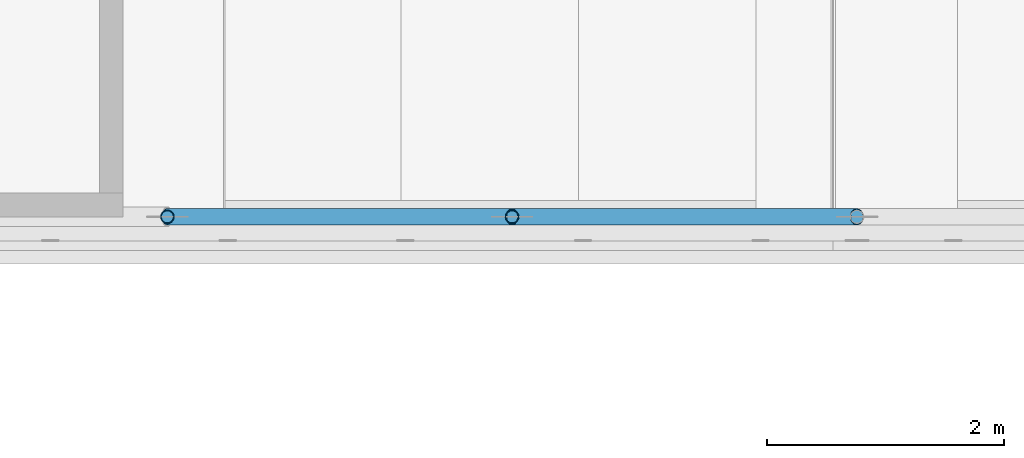
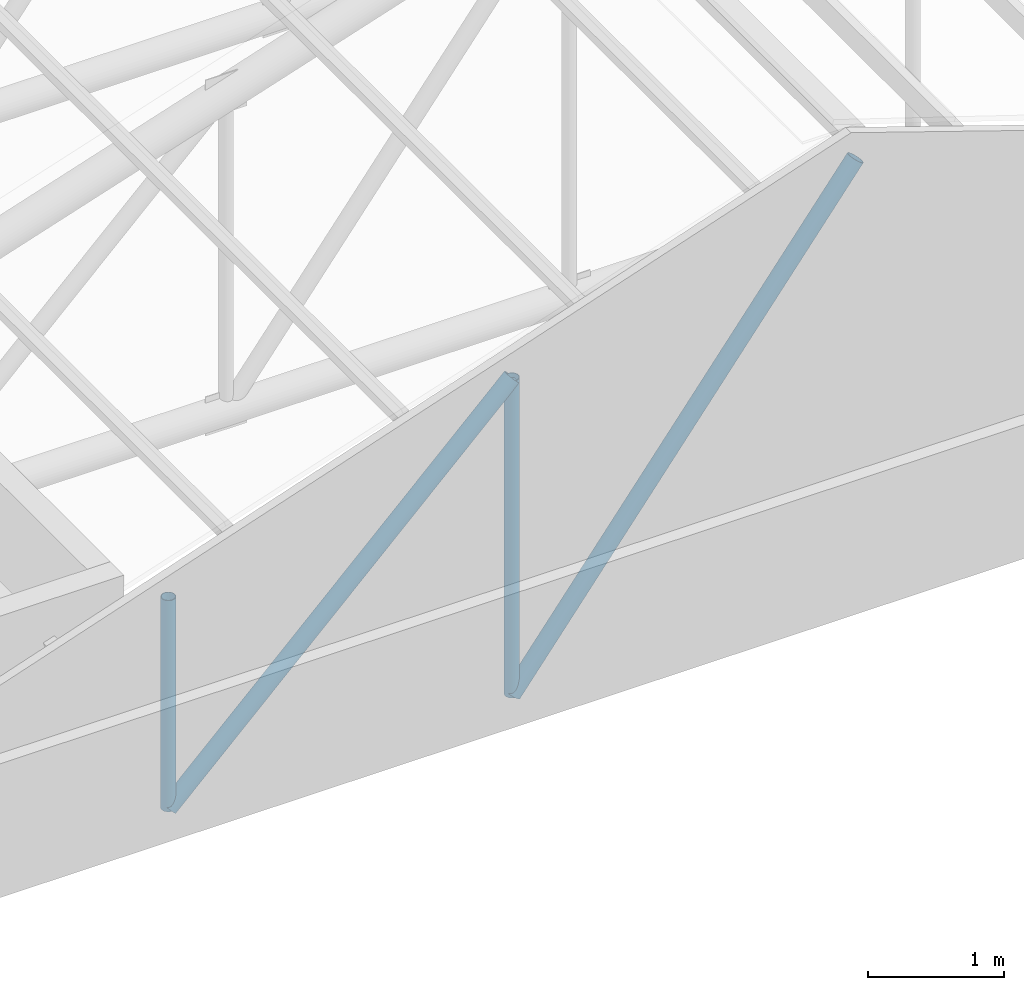
# One storey, part 5 of 95: 4 members.
"""IFC4 building model written with IfcOpenShell, lengths in metres."""

import ifcopenshell
import ifcopenshell.guid

model = None  # the IFC model being written
_history = None  # IfcOwnerHistory: only IFC2X3 demands one
_inside = {}  # id of a spatial element -> (the spatial element, [elements in it])
_under = {}  # id of a project, library or spatial element -> (it, [spatial elements below it])
_declared = {}  # id of a project -> (the project, [libraries it declares])
_typed = {}  # id of a type object -> (the type object, [elements of that type])
_made_of = {}  # id of a material, layer set ... -> (it, [elements and type objects made of it])


def new_model(schema):
    """Start an empty IFC model of exactly this schema.

    Asked for "IFC4X3", IfcOpenShell would pick the latest addendum, in which some entities
    have other attributes; the version numbers below select the first issue.
    IFC2X3 requires an IfcOwnerHistory on every rooted entity: one is made here for all.
    """
    global model, _history
    if schema == "IFC4X3":
        model = ifcopenshell.file(schema_version=(4, 3, 0, 0))
    else:
        model = ifcopenshell.file(schema=schema)
    _inside.clear()
    _under.clear()
    _declared.clear()
    _typed.clear()
    _made_of.clear()
    _history = None
    if model.schema == "IFC2X3":
        org = make("IfcOrganization", Name="unknown")
        user = make(
            "IfcPersonAndOrganization",
            ThePerson=make("IfcPerson", FamilyName="unknown"),
            TheOrganization=org,
        )
        app = make(
            "IfcApplication",
            ApplicationDeveloper=org,
            Version="unknown",
            ApplicationFullName="unknown",
            ApplicationIdentifier="unknown",
        )
        _history = make(
            "IfcOwnerHistory",
            OwningUser=user,
            OwningApplication=app,
            ChangeAction="ADDED",
            CreationDate=0,
        )
    return model


def make(cls, **values):
    """One entity of the class cls with the attributes given. An attribute that is None is left unset."""
    return model.create_entity(
        cls, **{name: value for name, value in values.items() if value is not None}
    )


def rooted(cls, **values):
    """An entity with a GlobalId (a new one), such as an element, a storey or a relation."""
    return make(cls, GlobalId=ifcopenshell.guid.new(), OwnerHistory=_history, **values)


def si_unit(unit_type, name, prefix=None):
    """IfcSIUnit, for example si_unit("LENGTHUNIT", "METRE", prefix="MILLI")."""
    return make("IfcSIUnit", UnitType=unit_type, Prefix=prefix, Name=name)


def assignment(units):
    """IfcUnitAssignment: the units of a project."""
    return None if units is None else make("IfcUnitAssignment", Units=units)


def point(xyz):
    """IfcCartesianPoint."""
    return None if xyz is None else make("IfcCartesianPoint", Coordinates=xyz)


def direction(xyz):
    """IfcDirection."""
    return None if xyz is None else make("IfcDirection", DirectionRatios=xyz)


def frame(location, z_axis=None, x_axis=None):
    """IfcAxis2Placement3D, a coordinate frame: its origin and axes. An axis left out is left unset."""
    return make(
        "IfcAxis2Placement3D",
        Location=point(location),
        Axis=direction(z_axis),
        RefDirection=direction(x_axis),
    )


def frame_2d(location, x_axis=None):
    """IfcAxis2Placement2D, a coordinate frame in the plane: its origin and x axis."""
    return make(
        "IfcAxis2Placement2D", Location=point(location), RefDirection=direction(x_axis)
    )


def origin():
    """The frame at (0, 0, 0) with its axes left unset."""
    return frame((0.0, 0.0, 0.0))


def origin_2d():
    """The frame at (0, 0) in the plane with its x axis left unset."""
    return frame_2d((0.0, 0.0))


def place(relative_to, where):
    """IfcLocalPlacement: puts the frame where relative to a parent placement (None: the world)."""
    return make(
        "IfcLocalPlacement", PlacementRelTo=relative_to, RelativePlacement=where
    )


def context(
    kind, dimensions, precision=None, world=None, true_north=None, identifier=None
):
    """IfcGeometricRepresentationContext, for example the 3D "Model" context."""
    return make(
        "IfcGeometricRepresentationContext",
        ContextIdentifier=identifier,
        ContextType=kind,
        CoordinateSpaceDimension=dimensions,
        Precision=precision,
        WorldCoordinateSystem=world,
        TrueNorth=true_north,
    )


def subcontext(parent, identifier, kind, view, scale=None):
    """IfcGeometricRepresentationSubContext, for example "Body" below "Model"."""
    return make(
        "IfcGeometricRepresentationSubContext",
        ContextIdentifier=identifier,
        ContextType=kind,
        ParentContext=parent,
        TargetScale=scale,
        TargetView=view,
    )


def project(units=None, contexts=None):
    """IfcProject with its units and contexts."""
    return rooted(
        "IfcProject",
        Name="project",
        RepresentationContexts=contexts,
        UnitsInContext=assignment(units),
    )


def spatial(cls, under=None, at=None, **own):
    """A site, building, storey or space (cls), placed at a placement, below another one or the project."""
    s = rooted(cls, ObjectPlacement=at, **own)
    if under is not None:
        _under.setdefault(under.id(), (under, []))[1].append(s)
    return s


def profile(cls, at=None, kind="AREA", **sizes):
    """A parametric profile (cls). Its sizes go by their IFC names, for example OverallWidth=200.0."""
    return make(cls, ProfileType=kind, Position=at, **sizes)


def hollow_circle(**sizes):
    """IfcCircleHollowProfileDef."""
    return profile("IfcCircleHollowProfileDef", **sizes)


def extrude(swept, where, along, depth):
    """IfcExtrudedAreaSolid: the profile swept, set in the frame where, extruded along a direction by depth."""
    return make(
        "IfcExtrudedAreaSolid",
        SweptArea=swept,
        Position=where,
        ExtrudedDirection=direction(along),
        Depth=depth,
    )


def shape(context_of_items, identifier, shape_type, items):
    """IfcShapeRepresentation: the items that make up one representation, for example the "Body"."""
    return make(
        "IfcShapeRepresentation",
        ContextOfItems=context_of_items,
        RepresentationIdentifier=identifier,
        RepresentationType=shape_type,
        Items=items,
    )


def material(Name=None, Category=None):
    """IfcMaterial."""
    return make("IfcMaterial", Name=Name, Category=Category)


def material_profile(
    of_material, cross_section, Name=None, Category=None, Priority=None
):
    """IfcMaterialProfile: a cross section and its material."""
    return make(
        "IfcMaterialProfile",
        Name=Name,
        Material=of_material,
        Profile=cross_section,
        Priority=Priority,
        Category=Category,
    )


def profile_set(profiles, Name=None, composite=None):
    """IfcMaterialProfileSet."""
    return make(
        "IfcMaterialProfileSet",
        Name=Name,
        MaterialProfiles=profiles,
        CompositeProfile=composite,
    )


def made_of(thing, what):
    """Note that an element or type object is made of a material, layer set ...; save() writes the relation."""
    if what is not None:
        _made_of.setdefault(what.id(), (what, []))[1].append(thing)
    return thing


def type_object(cls, material=None, **own):
    """A type object (cls), such as IfcWallType, which elements share."""
    return made_of(rooted(cls, **own), material)


def element(
    cls,
    number,
    at=None,
    inside=None,
    cuts=None,
    type_object=None,
    material=None,
    context=None,
    identifier="Body",
    shape_type=None,
    held_by="IfcProductDefinitionShape",
    body=None,
    shapes=None,
    **own,
):
    """One element of the class cls, such as IfcWall. Its Tag is "e" and its number.

    at: its placement. inside: the storey or other place that contains it. cuts: it is an
    opening in that element (IfcRelVoidsElement). A single representation is given by context,
    identifier, shape_type and body (its items); several are given by shapes. held_by: the class
    of the entity that holds the representations. save() writes the other relations.
    """
    e = rooted(cls, Tag="e%d" % number, ObjectPlacement=at, **own)
    if body is not None:
        shapes = [shape(context, identifier, shape_type, body)]
    if shapes is not None:
        e.Representation = make(held_by, Representations=shapes)
    if inside is not None:
        _inside.setdefault(inside.id(), (inside, []))[1].append(e)
    if cuts is not None:
        rooted(
            "IfcRelVoidsElement", RelatingBuildingElement=cuts, RelatedOpeningElement=e
        )
    if type_object is not None:
        _typed.setdefault(type_object.id(), (type_object, []))[1].append(e)
    return made_of(e, material)


def aggregate(whole, parts):
    """IfcRelAggregates: a whole, such as a stair, and the parts it consists of."""
    return rooted("IfcRelAggregates", RelatingObject=whole, RelatedObjects=parts)


def save(model, path):
    """Write the relations noted so far, then the file.

    IfcRelAggregates (storeys below a building ...), IfcRelContainedInSpatialStructure (elements
    in a storey), IfcRelDefinesByType, IfcRelAssociatesMaterial and IfcRelDeclares: one each for
    every whole, place, type object, material and project.
    """
    for whole, parts in _under.values():
        aggregate(whole, parts)
    for where, things in _inside.values():
        rooted(
            "IfcRelContainedInSpatialStructure",
            RelatedElements=things,
            RelatingStructure=where,
        )
    for kind, things in _typed.values():
        rooted("IfcRelDefinesByType", RelatedObjects=things, RelatingType=kind)
    for what, things in _made_of.values():
        rooted("IfcRelAssociatesMaterial", RelatedObjects=things, RelatingMaterial=what)
    for by, libraries in _declared.values():
        rooted("IfcRelDeclares", RelatingContext=by, RelatedDefinitions=libraries)
    model.write(path)


model = new_model("IFC4")

# Units and contexts
model_context = context("Model", 3, precision=1e-05, world=origin(), true_north=direction((0.0, 1.0)))
body_context = subcontext(model_context, "Body", "Model", "MODEL_VIEW")
ifc_project = project(units=[si_unit("LENGTHUNIT", "METRE"), si_unit("AREAUNIT", "SQUARE_METRE"), si_unit("VOLUMEUNIT", "CUBIC_METRE"), si_unit("PLANEANGLEUNIT", "RADIAN"), si_unit("MASSUNIT", "GRAM", prefix="KILO")], contexts=[model_context])

# Site, building, storey
site_placement = place(None, origin())
site = spatial("IfcSite", under=ifc_project, at=site_placement, CompositionType="ELEMENT")
building_placement = place(site_placement, origin())
building = spatial("IfcBuilding", under=site, at=building_placement, Name="Kiln Court Media Centre", CompositionType="ELEMENT")
storey_placement = place(building_placement, frame((0.0, 0.0, 24.60009765625)))
storey = spatial("IfcBuildingStorey", under=building, at=storey_placement, Name="L05", CompositionType="ELEMENT", Elevation=24.60009765625)

# Members
ifc_material_1 = material(Name="Steel ASTM A500 Gr C", Category="steel")
ifc_material_profile_1 = material_profile(ifc_material_1, hollow_circle(Radius=0.05712890625, WallThickness=0.0048828125, at=origin_2d()), Name="CHS 114.3x5.0")
ifc_profile_set_1 = profile_set([ifc_material_profile_1], Name="Steel ASTM A500 Gr C")
member_type_1 = type_object("IfcMemberType", Name="Steel ASTM A500 Gr C CHS 114.3x5.0 truss web", PredefinedType="BRACE", material=ifc_profile_set_1)
member_1_placement = place(storey_placement, frame((40.574951171875, 25.199951171875, -0.013916015625), z_axis=(0.0, 0.0, 1.0), x_axis=(1.0, 0.0, 0.0)))
element("IfcMember", 1, at=member_1_placement, inside=storey, type_object=member_type_1, Name="foyer truss FT-01 post 2 truss web", PredefinedType="BRACE", context=body_context, shape_type="SweptSolid", body=[
    extrude(hollow_circle(Radius=0.05712890625, WallThickness=0.0048828125, at=origin_2d()), origin(), (0.0, 0.0, 1.0), 1.892822265625),
])
member_2_placement = place(storey_placement, frame((43.487548828125, 25.199951171875, -0.013916015625), z_axis=(0.0, 0.0, 1.0), x_axis=(1.0, 0.0, 0.0)))
element("IfcMember", 2, at=member_2_placement, inside=storey, type_object=member_type_1, Name="foyer truss FT-01 post 3 truss web", PredefinedType="BRACE", context=body_context, shape_type="SweptSolid", body=[
    extrude(hollow_circle(Radius=0.05712890625, WallThickness=0.0048828125, at=origin_2d()), origin(), (0.0, 0.0, 1.0), 2.839111328125),
])
ifc_material_2 = material(Name="Steel ASTM A500 Gr C", Category="steel")
ifc_material_profile_2 = material_profile(ifc_material_2, hollow_circle(Radius=0.06982421875, WallThickness=0.0048828125, at=origin_2d()), Name="CHS 139.7x5.0")
ifc_profile_set_2 = profile_set([ifc_material_profile_2], Name="Steel ASTM A500 Gr C")
member_type_2 = type_object("IfcMemberType", Name="Steel ASTM A500 Gr C CHS 139.7x5.0 truss web", PredefinedType="BRACE", material=ifc_profile_set_2)
member_3_placement = place(storey_placement, frame((40.574951171875, 25.199951171875, -0.013916015625), z_axis=(0.716082640751, 0.0, 0.69801550958), x_axis=(0.0, 1.0, 0.0)))
element("IfcMember", 3, at=member_3_placement, inside=storey, type_object=member_type_2, Name="foyer truss FT-01 diagonal 3 truss web", PredefinedType="BRACE", context=body_context, shape_type="SweptSolid", body=[
    extrude(hollow_circle(Radius=0.06982421875, WallThickness=0.0048828125, at=origin_2d()), origin(), (0.0, 0.0, 1.0), 4.0673828125),
])
member_4_placement = place(storey_placement, frame((43.487548828125, 25.199951171875, -0.013916015625), z_axis=(0.609777458127, 0.0, 0.79257267904), x_axis=(0.0, 1.0, 0.0)))
element("IfcMember", 4, at=member_4_placement, inside=storey, type_object=member_type_2, Name="foyer truss FT-01 diagonal 4 truss web", PredefinedType="BRACE", context=body_context, shape_type="SweptSolid", body=[
    extrude(hollow_circle(Radius=0.06982421875, WallThickness=0.0048828125, at=origin_2d()), origin(), (0.0, 0.0, 1.0), 4.776123046875),
])

save(model, "model.ifc")
